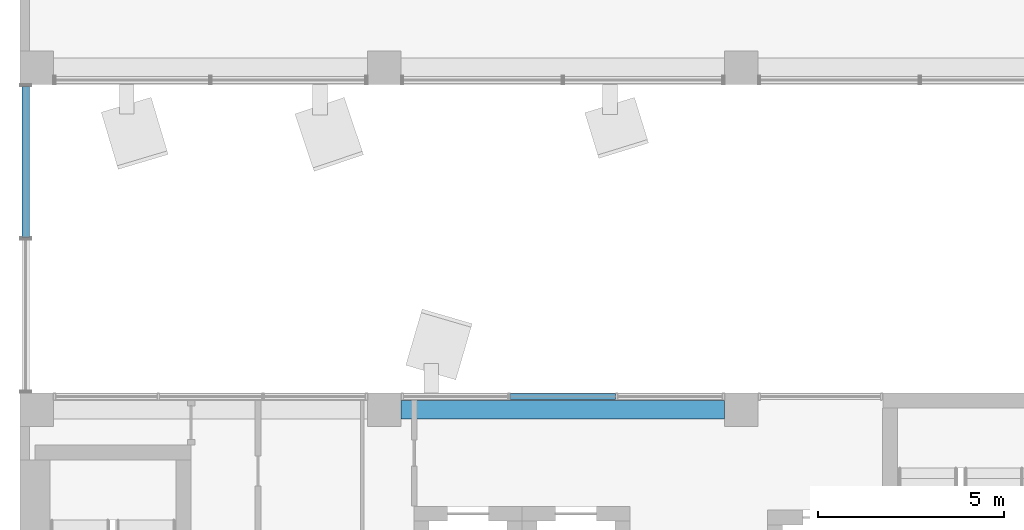
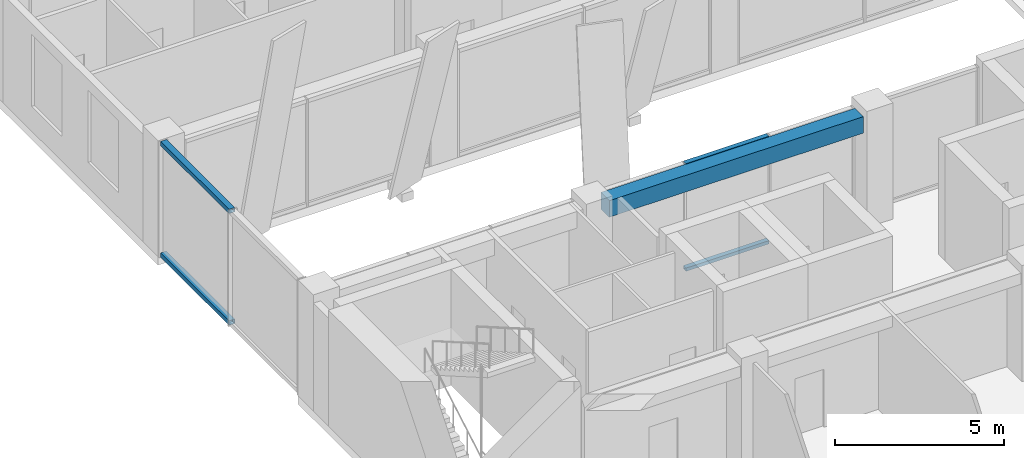
# One storey, part 7 of 38: 4 members, 1 beam, 2 elements without a shape of their own.
"""IFC4 building model written with IfcOpenShell, lengths in metres."""

from ifc_helpers import new_model, si_unit, direction, frame, origin, origin_2d, place, context, subcontext, project, spatial, rectangle, hollow_rectangle, extrude, material, layer, layer_set, material_profile, profile_set, type_object, element, aggregate, save


model = new_model("IFC4")

# Units and contexts
model_context = context("Model", 3, precision=1e-05, world=origin(), true_north=direction((0.0, 1.0)))
body_context = subcontext(model_context, "Body", "Model", "MODEL_VIEW")
ifc_project = project(units=[si_unit("LENGTHUNIT", "METRE"), si_unit("AREAUNIT", "SQUARE_METRE"), si_unit("VOLUMEUNIT", "CUBIC_METRE"), si_unit("PLANEANGLEUNIT", "RADIAN"), si_unit("MASSUNIT", "GRAM", prefix="KILO")], contexts=[model_context])

# Site, building, storey
site_placement = place(None, origin())
site = spatial("IfcSite", under=ifc_project, at=site_placement, CompositionType="ELEMENT")
building_placement = place(site_placement, origin())
building = spatial("IfcBuilding", under=site, at=building_placement, Name="Nzadi Deep Aquarium and Research Tower", CompositionType="ELEMENT")
storey_placement = place(building_placement, frame((0.0, 0.0, 52.89990234375)))
storey = spatial("IfcBuildingStorey", under=building, at=storey_placement, Name="L10", CompositionType="ELEMENT", Elevation=52.89990234375)

# Beam
ifc_material_1 = material(Name="Concrete C35/45", Category="concrete")
ifc_material_profile_1 = material_profile(ifc_material_1, rectangle(XDim=0.5, YDim=0.60009765625, at=origin_2d()))
ifc_profile_set_1 = profile_set([ifc_material_profile_1], Name="Concrete C35/45")
beam_type = type_object("IfcBeamType", Name="RC 500x600", PredefinedType="BEAM", material=ifc_profile_set_1)
beam_placement = place(storey_placement, frame((10.050048828125, 18.39990234375, 3.60009765625), z_axis=(1.0, 0.0, 0.0), x_axis=(0.0, 1.0, 0.0)))
element("IfcBeam", 1, at=beam_placement, inside=storey, type_object=beam_type, Name="B-Z1-L10-L3-2", PredefinedType="BEAM", context=body_context, shape_type="SweptSolid", body=[
    extrude(rectangle(XDim=0.5, YDim=0.60009765625, at=origin_2d()), origin(), (0.0, 0.0, 1.0), 8.699951171875),
])

# Curtain wall, members
ifc_material_2 = material(Name="Aluminium unitised frame", Category="aluminium")
ifc_layer_1 = layer(ifc_material_2, 0.199951171875)
ifc_layer_set_1 = layer_set([ifc_layer_1], Name="Aluminium unitised frame")
curtain_wall_type_1 = type_object("IfcCurtainWallType", Name="Curtain wall Unitised 200", PredefinedType="NOTDEFINED", material=ifc_layer_set_1)
curtain_wall_1_placement = place(storey_placement, origin())
curtain_wall_1 = element("IfcCurtainWall", 2, at=curtain_wall_1_placement, inside=storey, type_object=curtain_wall_type_1, Name="Unitised curtain wall blade A north L10", PredefinedType="NOTDEFINED")
ifc_material_3 = material(Name="Aluminium unitised frame", Category="aluminium")
ifc_material_profile_2 = material_profile(ifc_material_3, hollow_rectangle(XDim=0.159912109375, YDim=0.1201171875, WallThickness=0.0048828125, at=origin_2d()))
ifc_profile_set_2 = profile_set([ifc_material_profile_2], Name="Aluminium unitised frame")
member_type_1 = type_object("IfcMemberType", Name="Transom 120x160 Unitised", PredefinedType="MULLION", material=ifc_profile_set_2)
member_1_placement = place(storey_placement, frame((12.97998046875, 18.75, 0.06005859375), z_axis=(1.0, 0.0, 0.0), x_axis=(0.0, 1.0, 0.0)))
member_1 = element("IfcMember", 3, at=member_1_placement, type_object=member_type_1, Name="CW038 transom 2.1", PredefinedType="MULLION", context=body_context, shape_type="SweptSolid", body=[
    extrude(hollow_rectangle(XDim=0.159912109375, YDim=0.1201171875, WallThickness=0.0048828125, at=origin_2d()), origin(), (0.0, 0.0, 1.0), 2.840087890625),
])
member_2_placement = place(storey_placement, frame((12.97998046875, 18.75, 3.840087890625), z_axis=(1.0, 0.0, 0.0), x_axis=(0.0, 1.0, 0.0)))
member_2 = element("IfcMember", 4, at=member_2_placement, type_object=member_type_1, Name="CW038 transom 2.2", PredefinedType="MULLION", context=body_context, shape_type="SweptSolid", body=[
    extrude(hollow_rectangle(XDim=0.159912109375, YDim=0.1201171875, WallThickness=0.0048828125, at=origin_2d()), origin(), (0.0, 0.0, 1.0), 2.840087890625),
])
aggregate(curtain_wall_1, [member_1, member_2])

ifc_material_4 = material(Name="Aluminium unitised frame wind post", Category="aluminium")
ifc_layer_2 = layer(ifc_material_4, 0.300048828125)
ifc_layer_set_2 = layer_set([ifc_layer_2], Name="Aluminium unitised frame wind post")
curtain_wall_type_2 = type_object("IfcCurtainWallType", Name="Curtain wall Slot End 300", PredefinedType="NOTDEFINED", material=ifc_layer_set_2)
curtain_wall_2_placement = place(storey_placement, origin())
curtain_wall_2 = element("IfcCurtainWall", 5, at=curtain_wall_2_placement, inside=storey, type_object=curtain_wall_type_2, Name="Glazed slot end west L10", PredefinedType="NOTDEFINED")
ifc_material_5 = material(Name="Aluminium unitised frame wind post", Category="aluminium")
ifc_material_profile_3 = material_profile(ifc_material_5, hollow_rectangle(XDim=0.199951171875, YDim=0.159912109375, WallThickness=0.0048828125, at=origin_2d()))
ifc_profile_set_3 = profile_set([ifc_material_profile_3], Name="Aluminium unitised frame wind post")
member_type_2 = type_object("IfcMemberType", Name="Transom 160x200 Slot End", PredefinedType="MULLION", material=ifc_profile_set_3)
member_3_placement = place(storey_placement, frame((-0.050048828125, 23.030029296875, 0.080078125), z_axis=(0.0, 1.0, 0.0), x_axis=(-1.0, 0.0, 0.0)))
member_3 = element("IfcMember", 6, at=member_3_placement, type_object=member_type_2, Name="CW211 transom 2.1", PredefinedType="MULLION", context=body_context, shape_type="SweptSolid", body=[
    extrude(hollow_rectangle(XDim=0.199951171875, YDim=0.159912109375, WallThickness=0.0048828125, at=origin_2d()), origin(), (0.0, 0.0, 1.0), 4.06005859375),
])
member_4_placement = place(storey_placement, frame((-0.050048828125, 23.030029296875, 4.1201171875), z_axis=(0.0, 1.0, 0.0), x_axis=(-1.0, 0.0, 0.0)))
member_4 = element("IfcMember", 7, at=member_4_placement, type_object=member_type_2, Name="CW211 transom 2.2", PredefinedType="MULLION", context=body_context, shape_type="SweptSolid", body=[
    extrude(hollow_rectangle(XDim=0.199951171875, YDim=0.159912109375, WallThickness=0.0048828125, at=origin_2d()), origin(), (0.0, 0.0, 1.0), 4.06005859375),
])
aggregate(curtain_wall_2, [member_3, member_4])

save(model, "model.ifc")
